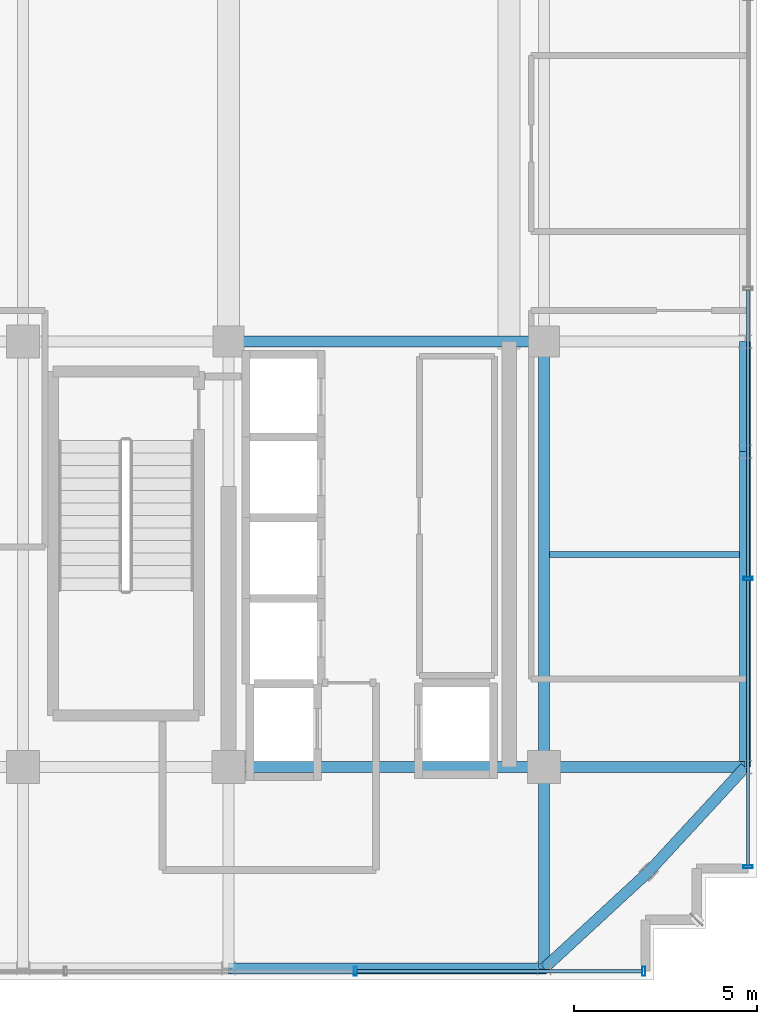
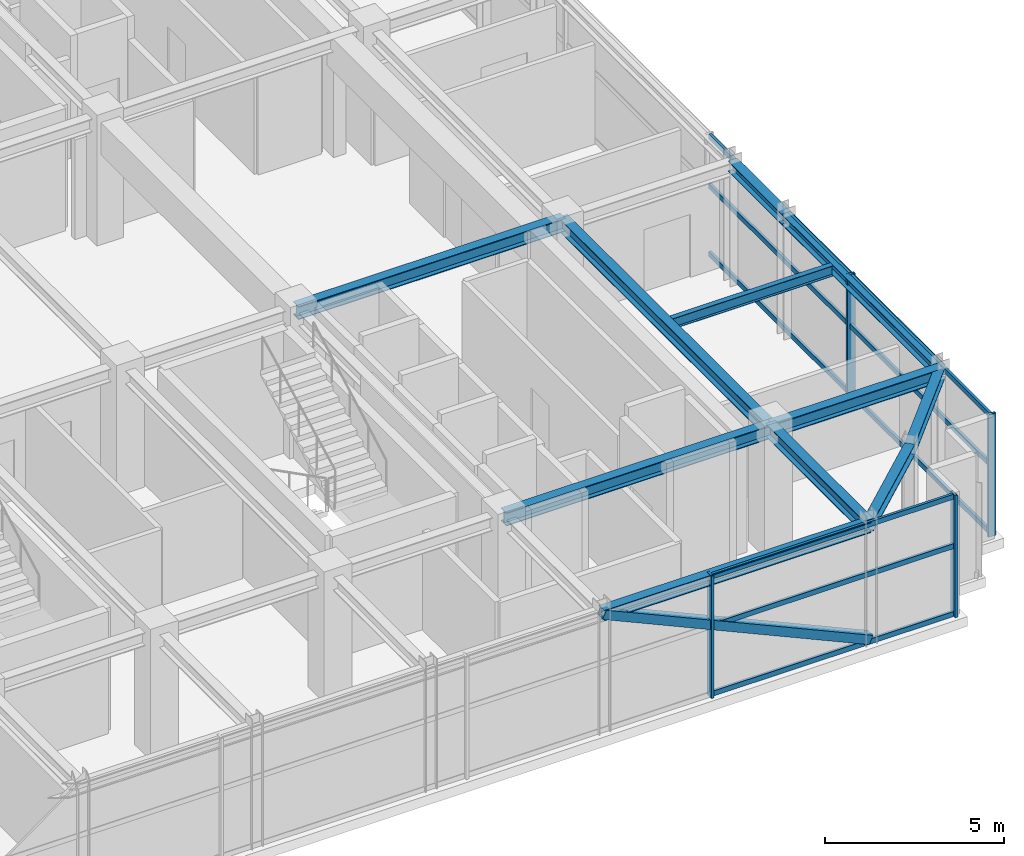
# One storey, part 10 of 26: 14 members, 11 beams, 2 elements without a shape of their own.
"""IFC4 building model written with IfcOpenShell, lengths in metres."""

from ifc_helpers import new_model, si_unit, direction, frame, origin, origin_2d, place, context, subcontext, project, spatial, hollow_rectangle, i_section, extrude, source, transform, mapped, material, material_profile, profile_set, type_object, element, aggregate, save


model = new_model("IFC4")

# Units and contexts
model_context = context("Model", 3, precision=1e-05, world=origin(), true_north=direction((0.0, 1.0)))
body_context = subcontext(model_context, "Body", "Model", "MODEL_VIEW")
ifc_project = project(units=[si_unit("LENGTHUNIT", "METRE"), si_unit("AREAUNIT", "SQUARE_METRE"), si_unit("VOLUMEUNIT", "CUBIC_METRE"), si_unit("PLANEANGLEUNIT", "RADIAN"), si_unit("MASSUNIT", "GRAM", prefix="KILO")], contexts=[model_context])

# Site, building, storey
site_placement = place(None, origin())
site = spatial("IfcSite", under=ifc_project, at=site_placement, CompositionType="ELEMENT")
building_placement = place(site_placement, origin())
building = spatial("IfcBuilding", under=site, at=building_placement, Name="Nahalor Promenade Grand Hotel", CompositionType="ELEMENT")
storey_placement = place(building_placement, frame((0.0, 0.0, 343.050048828125)))
storey = spatial("IfcBuildingStorey", under=building, at=storey_placement, Name="L88", CompositionType="ELEMENT", Elevation=343.050048828125)

# Beams
ifc_material_1 = material(Name="Steel S355JR", Category="steel")
ifc_material_profile_1 = material_profile(ifc_material_1, i_section(OverallWidth=0.3, OverallDepth=0.45, WebThickness=0.014, FlangeThickness=0.026, at=origin_2d()), Name="HEB 450")
ifc_profile_set_1 = profile_set([ifc_material_profile_1], Name="Steel S355JR")
beam_type_1 = type_object("IfcBeamType", Name="Beam-Girder-HEB450", PredefinedType="BEAM", material=ifc_profile_set_1)
shared_shape_1 = source(origin(), body_context, "Body", "SweptSolid", [
    extrude(i_section(OverallWidth=0.3, OverallDepth=0.45, WebThickness=0.014, FlangeThickness=0.026, at=origin_2d()), origin(), (0.0, 0.0, 1.0), 8.60009765625),
])
for number, where, z_axis, x_axis, name in (
    (1, (8.39990234375, -17.0, 3.945068359375), (1.0, 0.0, 0.0), (0.0, 1.0, 0.0), "BM-L88-GX-0-5"),
    (2, (8.39990234375, -5.39990234375, 3.945068359375), (1.0, 0.0, 0.0), (0.0, 1.0, 0.0), "BM-L88-GX-1-5"),
):
    element("IfcBeam", number, at=place(storey_placement, frame(where, z_axis=z_axis, x_axis=x_axis)), inside=storey, type_object=beam_type_1, Name=name, PredefinedType="BEAM", context=body_context, shape_type="MappedRepresentation", body=[
        mapped(shared_shape_1, transform((0.0, 0.0, 0.0), scale=1.0)),
    ])
shared_shape_2 = source(origin(), body_context, "Body", "SweptSolid", [
    extrude(i_section(OverallWidth=0.3, OverallDepth=0.45, WebThickness=0.014, FlangeThickness=0.026, at=origin_2d()), origin(), (0.0, 0.0, 1.0), 11.60009765625),
])
beam_1_placement = place(storey_placement, frame((17.0, -17.0, 3.945068359375), z_axis=(0.0, 1.0, 0.0), x_axis=(-1.0, 0.0, 0.0)))
element("IfcBeam", 3, at=beam_1_placement, inside=storey, type_object=beam_type_1, Name="BM-L88-GY-5-1", PredefinedType="BEAM", context=body_context, shape_type="MappedRepresentation", body=[
    mapped(shared_shape_2, transform((0.0, 0.0, 0.0), scale=1.0)),
])
shared_shape_3 = source(origin(), body_context, "Body", "SweptSolid", [
    extrude(i_section(OverallWidth=0.3, OverallDepth=0.45, WebThickness=0.014, FlangeThickness=0.026, at=origin_2d()), origin(), (0.0, 0.0, 1.0), 5.47998046875),
])
for number, where, z_axis, x_axis, name in (
    (4, (17.0, -17.0, 3.945068359375), (1.0, 0.0, 0.0), (0.0, 1.0, 0.0), "BM-L88-GX-0-6"),
    (5, (17.0, -22.47998046875, 3.945068359375), (0.0, 1.0, 0.0), (-1.0, 0.0, 0.0), "BM-L88-GY-5-0"),
):
    element("IfcBeam", number, at=place(storey_placement, frame(where, z_axis=z_axis, x_axis=x_axis)), inside=storey, type_object=beam_type_1, Name=name, PredefinedType="BEAM", context=body_context, shape_type="MappedRepresentation", body=[
        mapped(shared_shape_3, transform((0.0, 0.0, 0.0), scale=1.0)),
    ])
ifc_material_profile_2 = material_profile(ifc_material_1, i_section(OverallWidth=0.3, OverallDepth=0.36, WebThickness=0.0125, FlangeThickness=0.0225, at=origin_2d()), Name="HEB 360")
ifc_profile_set_2 = profile_set([ifc_material_profile_2], Name="Steel S355JR")
beam_type_2 = type_object("IfcBeamType", Name="Beam-Spandrel-HEB360", PredefinedType="SPANDREL", material=ifc_profile_set_2)
shared_shape_4 = source(origin(), body_context, "Body", "SweptSolid", [
    extrude(i_section(OverallWidth=0.3, OverallDepth=0.36, WebThickness=0.0125, FlangeThickness=0.0225, at=origin_2d()), origin(), (0.0, 0.0, 1.0), 8.60009765625),
])
for number, where, z_axis, x_axis, name in (
    (6, (8.39990234375, -22.47998046875, 3.989990234375), (1.0, 0.0, 0.0), (0.0, 1.0, 0.0), "BM-L88-SP-S-4"),
    (7, (22.47998046875, -17.0, 3.989990234375), (0.0, 1.0, 0.0), (-1.0, 0.0, 0.0), "BM-L88-SP-E-0"),
):
    element("IfcBeam", number, at=place(storey_placement, frame(where, z_axis=z_axis, x_axis=x_axis)), inside=storey, type_object=beam_type_2, Name=name, PredefinedType="SPANDREL", context=body_context, shape_type="MappedRepresentation", body=[
        mapped(shared_shape_4, transform((0.0, 0.0, 0.0), scale=1.0)),
    ])
shared_shape_5 = source(origin(), body_context, "Body", "SweptSolid", [
    extrude(i_section(OverallWidth=0.3, OverallDepth=0.36, WebThickness=0.0125, FlangeThickness=0.0225, at=origin_2d()), origin(), (0.0, 0.0, 1.0), 3.0),
])
beam_2_placement = place(storey_placement, frame((22.47998046875, -8.39990234375, 3.989990234375), z_axis=(0.0, 1.0, 0.0), x_axis=(-1.0, 0.0, 0.0)))
element("IfcBeam", 8, at=beam_2_placement, inside=storey, type_object=beam_type_2, Name="BM-L88-SP-E-1", PredefinedType="SPANDREL", context=body_context, shape_type="MappedRepresentation", body=[
    mapped(shared_shape_5, transform((0.0, 0.0, 0.0), scale=1.0)),
])
shared_shape_6 = source(origin(), body_context, "Body", "SweptSolid", [
    extrude(i_section(OverallWidth=0.3, OverallDepth=0.36, WebThickness=0.0125, FlangeThickness=0.0225, at=origin_2d()), origin(), (0.0, 0.0, 1.0), 3.878173828125),
])
for number, where, z_axis, x_axis, name in (
    (9, (17.0, -22.47998046875, 3.989990234375), (0.73492893846, 0.678144125843, 0.0), (-0.678144125843, 0.73492893846, 0.0), "BM-L88-SPC-SE-1"),
    (10, (19.85009765625, -19.85009765625, 3.989990234375), (0.678144125843, 0.73492893846, 0.0), (-0.73492893846, 0.678144125843, 0.0), "BM-L88-SPC-SE-2"),
):
    element("IfcBeam", number, at=place(storey_placement, frame(where, z_axis=z_axis, x_axis=x_axis)), inside=storey, type_object=beam_type_2, Name=name, PredefinedType="SPANDREL", context=body_context, shape_type="MappedRepresentation", body=[
        mapped(shared_shape_6, transform((0.0, 0.0, 0.0), scale=1.0)),
    ])
ifc_material_profile_3 = material_profile(ifc_material_1, i_section(OverallWidth=0.17, OverallDepth=0.36, WebThickness=0.008, FlangeThickness=0.0127, at=origin_2d()), Name="IPE 360")
ifc_profile_set_3 = profile_set([ifc_material_profile_3], Name="Steel S355JR")
beam_type_3 = type_object("IfcBeamType", Name="Beam-Joist-IPE360", PredefinedType="JOIST", material=ifc_profile_set_3)
shared_shape_7 = source(origin(), body_context, "Body", "SweptSolid", [
    extrude(i_section(OverallWidth=0.17, OverallDepth=0.36, WebThickness=0.008, FlangeThickness=0.0127, at=origin_2d()), origin(), (0.0, 0.0, 1.0), 5.18017578125),
])
beam_3_placement = place(storey_placement, frame((17.14990234375, -11.199951171875, 3.989990234375), z_axis=(1.0, 0.0, 0.0), x_axis=(0.0, 1.0, 0.0)))
element("IfcBeam", 11, at=beam_3_placement, inside=storey, type_object=beam_type_3, Name="BM-L88-JSE-0-2", PredefinedType="JOIST", context=body_context, shape_type="MappedRepresentation", body=[
    mapped(shared_shape_7, transform((0.0, 0.0, 0.0), scale=1.0)),
])

# Member
ifc_material_profile_4 = material_profile(ifc_material_1, hollow_rectangle(XDim=0.3, YDim=0.3, WallThickness=0.016, at=origin_2d()), Name="SHS 300x300x16")
ifc_profile_set_4 = profile_set([ifc_material_profile_4], Name="Steel S355JR")
member_type_1 = type_object("IfcMemberType", Name="Mem-CrownBrace-SHS300", PredefinedType="BRACE", material=ifc_profile_set_4)
shared_shape_8 = source(origin(), body_context, "Body", "SweptSolid", [
    extrude(hollow_rectangle(XDim=0.3, YDim=0.3, WallThickness=0.016, at=origin_2d()), origin(), (0.0, 0.0, 1.0), 9.4306640625),
])
member_1_placement = place(storey_placement, frame((17.0, -22.47998046875, 0.14990234375), z_axis=(-0.911918598846, 0.0, 0.410371135778), x_axis=(0.0, -1.0, 0.0)))
element("IfcMember", 12, at=member_1_placement, inside=storey, type_object=member_type_1, Name="EXO-L88-S-1", PredefinedType="BRACE", context=body_context, shape_type="MappedRepresentation", body=[
    mapped(shared_shape_8, transform((0.0, 0.0, 0.0), scale=1.0)),
])

# Curtain wall, members
ifc_material_2 = material(Name="Anodised Bronze Aluminium EN AW-6063 T6", Category="aluminium")
curtain_wall_type = type_object("IfcCurtainWallType", Name="CW5 Sky-Lobby & Observation Panoramic Curtain Wall", PredefinedType="USERDEFINED", material=ifc_material_2)
curtain_wall_1_placement = place(storey_placement, origin())
curtain_wall_1 = element("IfcCurtainWall", 13, at=curtain_wall_1_placement, inside=storey, type_object=curtain_wall_type, Name="L88 Curtain Wall CW-L88-S-1", ObjectType="UNITISED_CURTAIN_WALL", PredefinedType="USERDEFINED")
ifc_material_profile_5 = material_profile(ifc_material_2, hollow_rectangle(XDim=0.085, YDim=0.25, WallThickness=0.006, at=origin_2d()), Name="CWM 85x250x6")
ifc_profile_set_5 = profile_set([ifc_material_profile_5], Name="Anodised Bronze Aluminium EN AW-6063 T6")
member_type_2 = type_object("IfcMemberType", Name="CWM5 Panoramic Deep Mullion 85x250", PredefinedType="MULLION", material=ifc_profile_set_5)
shared_shape_9 = source(origin(), body_context, "Body", "SweptSolid", [
    extrude(hollow_rectangle(XDim=0.085, YDim=0.25, WallThickness=0.006, at=origin_2d()), origin(), (0.0, 0.0, 1.0), 4.169921875),
])
member_2_placement = place(storey_placement, frame((11.85595703125, -22.56005859375, 0.0), z_axis=(0.0, 0.0, 1.0), x_axis=(1.0, 0.0, 0.0)))
member_2 = element("IfcMember", 14, at=member_2_placement, type_object=member_type_2, Name="CW-L88-S-1 Mullion 4", PredefinedType="MULLION", context=body_context, shape_type="MappedRepresentation", body=[
    mapped(shared_shape_9, transform((0.0, 0.0, 0.0), scale=1.0)),
])
member_3_placement = place(storey_placement, frame((19.717529296875, -22.56005859375, 0.0), z_axis=(0.0, 0.0, 1.0), x_axis=(1.0, 0.0, 0.0)))
member_3 = element("IfcMember", 15, at=member_3_placement, type_object=member_type_2, Name="CW-L88-S-1 Mullion 5", PredefinedType="MULLION", context=body_context, shape_type="MappedRepresentation", body=[
    mapped(shared_shape_9, transform((0.0, 0.0, 0.0), scale=1.0)),
])

curtain_wall_2_placement = place(storey_placement, origin())
curtain_wall_2 = element("IfcCurtainWall", 16, at=curtain_wall_2_placement, inside=storey, type_object=curtain_wall_type, Name="L88 Curtain Wall CW-L88-E-1", ObjectType="UNITISED_CURTAIN_WALL", PredefinedType="USERDEFINED")
member_4_placement = place(storey_placement, frame((22.56005859375, -19.717529296875, 0.0), z_axis=(0.0, 0.0, 1.0), x_axis=(0.0, 1.0, 0.0)))
member_4 = element("IfcMember", 17, at=member_4_placement, type_object=member_type_2, Name="CW-L88-E-1 Mullion 0", PredefinedType="MULLION", context=body_context, shape_type="MappedRepresentation", body=[
    mapped(shared_shape_9, transform((0.0, 0.0, 0.0), scale=1.0)),
])
member_5_placement = place(storey_placement, frame((22.56005859375, -11.85595703125, 0.0), z_axis=(0.0, 0.0, 1.0), x_axis=(0.0, 1.0, 0.0)))
member_5 = element("IfcMember", 18, at=member_5_placement, type_object=member_type_2, Name="CW-L88-E-1 Mullion 1", PredefinedType="MULLION", context=body_context, shape_type="MappedRepresentation", body=[
    mapped(shared_shape_9, transform((0.0, 0.0, 0.0), scale=1.0)),
])

# Member
ifc_material_profile_6 = material_profile(ifc_material_2, hollow_rectangle(XDim=0.085, YDim=0.17, WallThickness=0.005, at=origin_2d()), Name="CWT 85x170x5")
ifc_profile_set_6 = profile_set([ifc_material_profile_6], Name="Anodised Bronze Aluminium EN AW-6063 T6")
member_type_3 = type_object("IfcMemberType", Name="CWT5 Panoramic Transom 85x170", PredefinedType="USERDEFINED", material=ifc_profile_set_6)
shared_shape_10 = source(origin(), body_context, "Body", "SweptSolid", [
    extrude(hollow_rectangle(XDim=0.085, YDim=0.17, WallThickness=0.005, at=origin_2d()), origin(), (0.0, 0.0, 1.0), 7.776611328125),
])
member_6_placement = place(storey_placement, frame((11.8984375, -22.56005859375, 0.0849609375), z_axis=(1.0, 0.0, 0.0), x_axis=(0.0, 1.0, 0.0)))
member_6 = element("IfcMember", 19, at=member_6_placement, type_object=member_type_3, Name="CW-L88-S-1 Transom 4-0", ObjectType="TRANSOM", PredefinedType="USERDEFINED", context=body_context, shape_type="MappedRepresentation", body=[
    mapped(shared_shape_10, transform((0.0, 0.0, 0.0), scale=1.0)),
])

member_7_placement = place(storey_placement, frame((11.8984375, -22.56005859375, 2.39990234375), z_axis=(1.0, 0.0, 0.0), x_axis=(0.0, 1.0, 0.0)))
member_7 = element("IfcMember", 20, at=member_7_placement, type_object=member_type_3, Name="CW-L88-S-1 Transom 4-1", ObjectType="TRANSOM", PredefinedType="USERDEFINED", context=body_context, shape_type="MappedRepresentation", body=[
    mapped(shared_shape_10, transform((0.0, 0.0, 0.0), scale=1.0)),
])

member_8_placement = place(storey_placement, frame((11.8984375, -22.56005859375, 4.0849609375), z_axis=(1.0, 0.0, 0.0), x_axis=(0.0, 1.0, 0.0)))
member_8 = element("IfcMember", 21, at=member_8_placement, type_object=member_type_3, Name="CW-L88-S-1 Transom 4-2", ObjectType="TRANSOM", PredefinedType="USERDEFINED", context=body_context, shape_type="MappedRepresentation", body=[
    mapped(shared_shape_10, transform((0.0, 0.0, 0.0), scale=1.0)),
])

aggregate(curtain_wall_1, [member_2, member_3, member_6, member_7, member_8])

member_9_placement = place(storey_placement, frame((22.56005859375, -19.675048828125, 0.0849609375), z_axis=(0.0, 1.0, 0.0), x_axis=(-1.0, 0.0, 0.0)))
member_9 = element("IfcMember", 22, at=member_9_placement, type_object=member_type_3, Name="CW-L88-E-1 Transom 0-0", ObjectType="TRANSOM", PredefinedType="USERDEFINED", context=body_context, shape_type="MappedRepresentation", body=[
    mapped(shared_shape_10, transform((0.0, 0.0, 0.0), scale=1.0)),
])

member_10_placement = place(storey_placement, frame((22.56005859375, -19.675048828125, 2.39990234375), z_axis=(0.0, 1.0, 0.0), x_axis=(-1.0, 0.0, 0.0)))
member_10 = element("IfcMember", 23, at=member_10_placement, type_object=member_type_3, Name="CW-L88-E-1 Transom 0-1", ObjectType="TRANSOM", PredefinedType="USERDEFINED", context=body_context, shape_type="MappedRepresentation", body=[
    mapped(shared_shape_10, transform((0.0, 0.0, 0.0), scale=1.0)),
])

member_11_placement = place(storey_placement, frame((22.56005859375, -19.675048828125, 4.0849609375), z_axis=(0.0, 1.0, 0.0), x_axis=(-1.0, 0.0, 0.0)))
member_11 = element("IfcMember", 24, at=member_11_placement, type_object=member_type_3, Name="CW-L88-E-1 Transom 0-2", ObjectType="TRANSOM", PredefinedType="USERDEFINED", context=body_context, shape_type="MappedRepresentation", body=[
    mapped(shared_shape_10, transform((0.0, 0.0, 0.0), scale=1.0)),
])

shared_shape_11 = source(origin(), body_context, "Body", "SweptSolid", [
    extrude(hollow_rectangle(XDim=0.085, YDim=0.17, WallThickness=0.005, at=origin_2d()), origin(), (0.0, 0.0, 1.0), 7.819091796875),
])
member_12_placement = place(storey_placement, frame((22.56005859375, -11.8134765625, 0.0849609375), z_axis=(0.0, 1.0, 0.0), x_axis=(-1.0, 0.0, 0.0)))
member_12 = element("IfcMember", 25, at=member_12_placement, type_object=member_type_3, Name="CW-L88-E-1 Transom 1-0", ObjectType="TRANSOM", PredefinedType="USERDEFINED", context=body_context, shape_type="MappedRepresentation", body=[
    mapped(shared_shape_11, transform((0.0, 0.0, 0.0), scale=1.0)),
])

member_13_placement = place(storey_placement, frame((22.56005859375, -11.8134765625, 2.39990234375), z_axis=(0.0, 1.0, 0.0), x_axis=(-1.0, 0.0, 0.0)))
member_13 = element("IfcMember", 26, at=member_13_placement, type_object=member_type_3, Name="CW-L88-E-1 Transom 1-1", ObjectType="TRANSOM", PredefinedType="USERDEFINED", context=body_context, shape_type="MappedRepresentation", body=[
    mapped(shared_shape_11, transform((0.0, 0.0, 0.0), scale=1.0)),
])

member_14_placement = place(storey_placement, frame((22.56005859375, -11.8134765625, 4.0849609375), z_axis=(0.0, 1.0, 0.0), x_axis=(-1.0, 0.0, 0.0)))
member_14 = element("IfcMember", 27, at=member_14_placement, type_object=member_type_3, Name="CW-L88-E-1 Transom 1-2", ObjectType="TRANSOM", PredefinedType="USERDEFINED", context=body_context, shape_type="MappedRepresentation", body=[
    mapped(shared_shape_11, transform((0.0, 0.0, 0.0), scale=1.0)),
])

aggregate(curtain_wall_2, [member_4, member_5, member_9, member_10, member_11, member_12, member_13, member_14])

save(model, "model.ifc")
